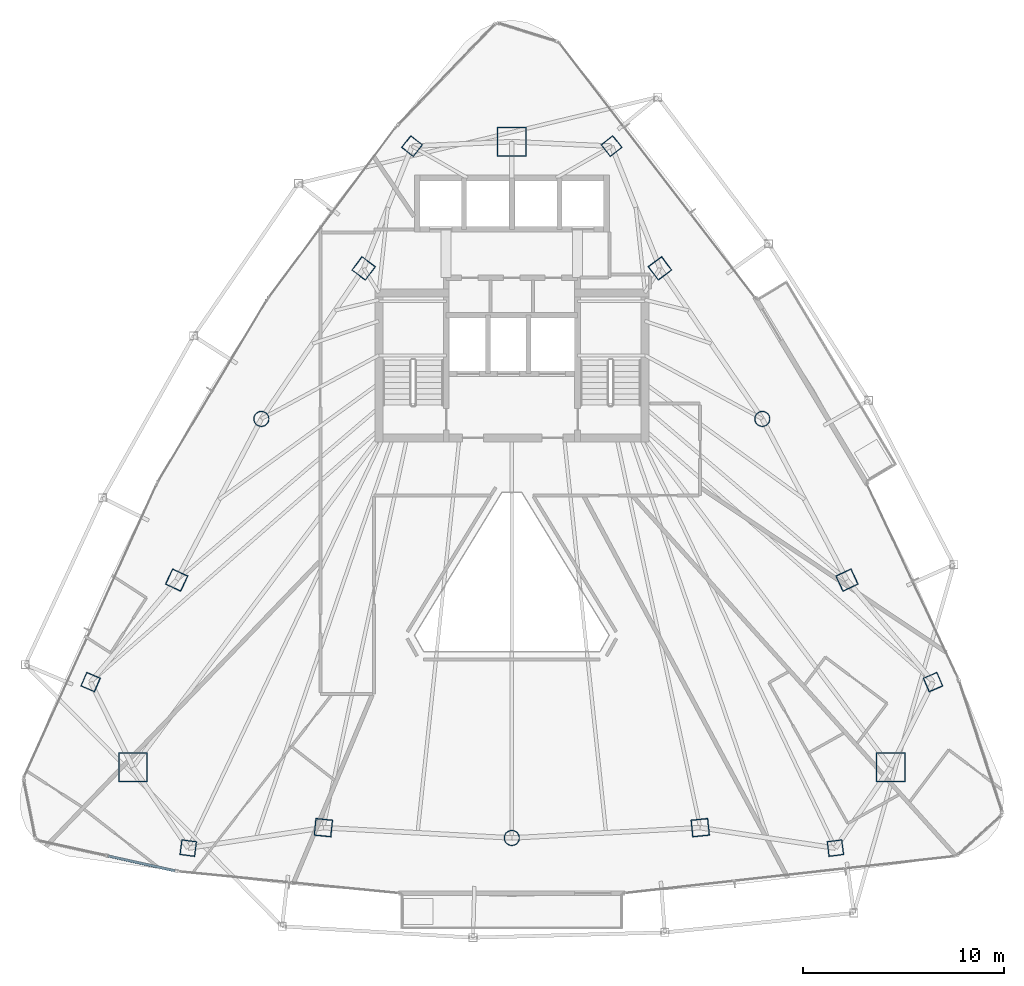
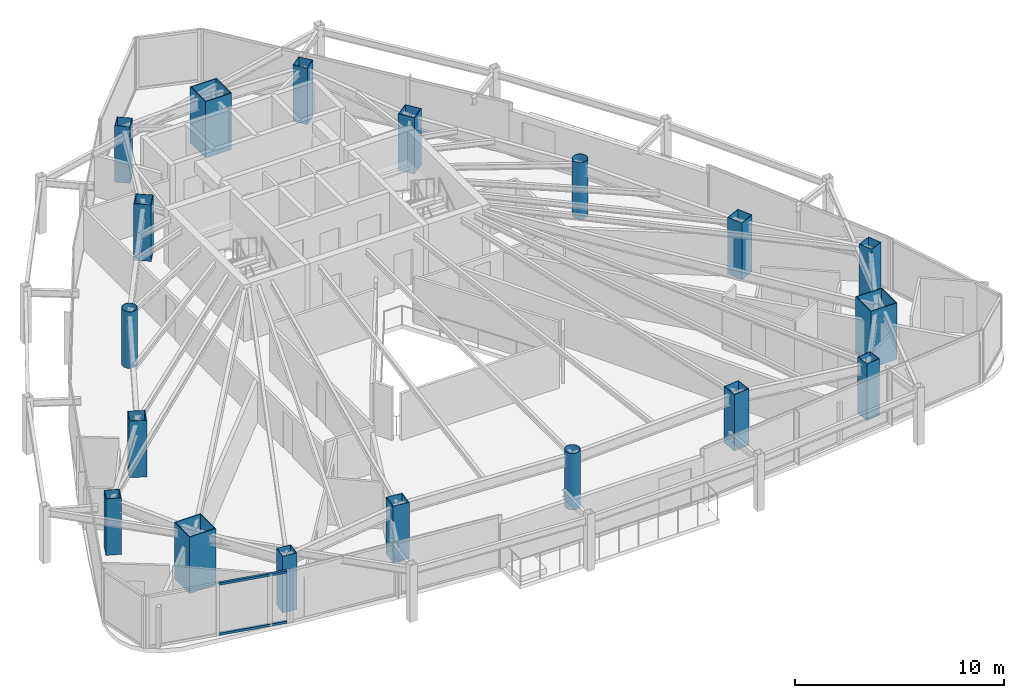
# One storey, part 1 of 30: 18 columns, 2 members, 1 element without a shape of its own.
"""IFC4 building model written with IfcOpenShell, lengths in metres."""

from ifc_helpers import new_model, si_unit, direction, frame, origin, origin_2d, place, context, subcontext, project, spatial, hollow_rectangle, hollow_circle, extrude, material, layer, layer_set, material_profile, profile_set, type_object, element, aggregate, save


model = new_model("IFC4")

# Units and contexts
model_context = context("Model", 3, precision=1e-05, world=origin(), true_north=direction((0.0, 1.0)))
body_context = subcontext(model_context, "Body", "Model", "MODEL_VIEW")
ifc_project = project(units=[si_unit("LENGTHUNIT", "METRE"), si_unit("AREAUNIT", "SQUARE_METRE"), si_unit("VOLUMEUNIT", "CUBIC_METRE"), si_unit("PLANEANGLEUNIT", "RADIAN"), si_unit("MASSUNIT", "GRAM", prefix="KILO")], contexts=[model_context])

# Site, building, storey
site_placement = place(None, origin())
site = spatial("IfcSite", under=ifc_project, at=site_placement, CompositionType="ELEMENT")
building_placement = place(site_placement, origin())
building = spatial("IfcBuilding", under=site, at=building_placement, Name="Orvanel Arch Residences", CompositionType="ELEMENT")
storey_placement = place(building_placement, frame((0.0, 0.0, 180.35009765625)))
storey = spatial("IfcBuildingStorey", under=building, at=storey_placement, Name="L51", CompositionType="ELEMENT", Elevation=180.35009765625)

# Columns
ifc_material_1 = material(Name="Structural steel AS/NZS 1163 C450L0 (Grade 450)", Category="steel")
ifc_material_profile_1 = material_profile(ifc_material_1, hollow_circle(Radius=0.381103515625, WallThickness=0.02197265625, at=origin_2d()), Name="CHS762x22")
ifc_profile_set_1 = profile_set([ifc_material_profile_1], Name="Structural steel AS/NZS 1163 C450L0 (Grade 450)")
column_type_1 = type_object("IfcColumnType", Name="CC-762", PredefinedType="COLUMN", material=ifc_profile_set_1)
for number, where, z_axis, x_axis, name in (
    (1, (20.569091796875, 27.64111328125, 0.0), (0.0, 0.0, 1.0), (1.0, 0.0, 0.0), "L51 High-Rise Tube Column 02"),
    (2, (33.0, 6.843994140625, 0.0), (0.0, 0.0, 1.0), (1.0, 0.0, 0.0), "L51 High-Rise Tube Column 05"),
    (3, (45.430908203125, 27.64111328125, 0.0), (0.0, 0.0, 1.0), (1.0, 0.0, 0.0), "L51 High-Rise Tube Column 08"),
):
    element("IfcColumn", number, at=place(storey_placement, frame(where, z_axis=z_axis, x_axis=x_axis)), inside=storey, type_object=column_type_1, Name=name, PredefinedType="COLUMN", context=body_context, shape_type="SweptSolid", body=[
        extrude(hollow_circle(Radius=0.381103515625, WallThickness=0.02197265625, at=origin_2d()), origin(), (0.0, 0.0, 1.0), 3.2998046875),
    ])
ifc_material_2 = material(Name="Structural steel AS/NZS 3678 Grade 450", Category="steel")
ifc_material_profile_2 = material_profile(ifc_material_2, hollow_rectangle(XDim=1.449951171875, YDim=1.449951171875, WallThickness=0.044921875, at=origin_2d()), Name="BOX1450x1450x45")
ifc_profile_set_2 = profile_set([ifc_material_profile_2], Name="Structural steel AS/NZS 3678 Grade 450")
column_type_2 = type_object("IfcColumnType", Name="MC-1450", PredefinedType="COLUMN", material=ifc_profile_set_2)
for number, where, z_axis, x_axis, name in (
    (4, (33.0, 41.39794921875, 0.0), (0.0, 0.0, 1.0), (1.0, 0.0, 0.0), "L51 Corner Mega-Column 1"),
    (5, (14.198974609375, 10.35107421875, 0.0), (0.0, 0.0, 1.0), (1.0, 0.0, 0.0), "L51 Corner Mega-Column 2"),
    (6, (51.801025390625, 10.35107421875, 0.0), (0.0, 0.0, 1.0), (1.0, 0.0, 0.0), "L51 Corner Mega-Column 3"),
):
    element("IfcColumn", number, at=place(storey_placement, frame(where, z_axis=z_axis, x_axis=x_axis)), inside=storey, type_object=column_type_2, Name=name, PredefinedType="COLUMN", context=body_context, shape_type="SweptSolid", body=[
        extrude(hollow_rectangle(XDim=1.449951171875, YDim=1.449951171875, WallThickness=0.044921875, at=origin_2d()), origin(), (0.0, 0.0, 1.0), 3.2998046875),
    ])
ifc_material_3 = material(Name="Structural steel AS/NZS 3678 Grade 350", Category="steel")
ifc_material_profile_3 = material_profile(ifc_material_3, hollow_rectangle(XDim=0.75, YDim=0.75, WallThickness=0.02490234375, at=origin_2d()), Name="BOX750x750x25")
ifc_profile_set_3 = profile_set([ifc_material_profile_3], Name="Structural steel AS/NZS 3678 Grade 350")
column_type_3 = type_object("IfcColumnType", Name="TC-750", PredefinedType="COLUMN", material=ifc_profile_set_3)
for number, where, z_axis, x_axis, name in (
    (7, (28.050048828125, 41.177978515625, 0.0), (0.0, 0.0, 1.0), (0.623879596709, 0.781520472419, 0.0), "L51 Mid-Rise Buttress Tube Column 01"),
    (8, (12.094970703125, 14.580078125, 0.0), (0.0, 0.0, 1.0), (0.397147890635, 0.917754625684, 0.0), "L51 Mid-Rise Buttress Tube Column 02"),
    (9, (16.94091796875, 6.339111328125, 0.0), (0.0, 0.0, 1.0), (-0.99189444259, 0.127064608601, 0.0), "L51 Mid-Rise Buttress Tube Column 03"),
    (10, (49.05908203125, 6.339111328125, 0.0), (0.0, 0.0, 1.0), (0.99189444259, 0.127064608601, 0.0), "L51 Mid-Rise Buttress Tube Column 04"),
    (11, (53.905029296875, 14.580078125, 0.0), (0.0, 0.0, 1.0), (-0.397147890635, 0.917754625684, 0.0), "L51 Mid-Rise Buttress Tube Column 05"),
    (12, (37.949951171875, 41.177978515625, 0.0), (0.0, 0.0, 1.0), (-0.623879596709, 0.781520472419, 0.0), "L51 Mid-Rise Buttress Tube Column 06"),
):
    element("IfcColumn", number, at=place(storey_placement, frame(where, z_axis=z_axis, x_axis=x_axis)), inside=storey, type_object=column_type_3, Name=name, PredefinedType="COLUMN", context=body_context, shape_type="SweptSolid", body=[
        extrude(hollow_rectangle(XDim=0.75, YDim=0.75, WallThickness=0.02490234375, at=origin_2d()), origin(), (0.0, 0.0, 1.0), 3.2998046875),
    ])
ifc_material_profile_4 = material_profile(ifc_material_3, hollow_rectangle(XDim=0.85009765625, YDim=0.85009765625, WallThickness=0.028076171875, at=origin_2d()), Name="BOX850x850x28")
ifc_profile_set_4 = profile_set([ifc_material_profile_4], Name="Structural steel AS/NZS 3678 Grade 350")
column_type_4 = type_object("IfcColumnType", Name="TC-850", PredefinedType="COLUMN", material=ifc_profile_set_4)
for number, where, z_axis, x_axis, name in (
    (13, (25.64794921875, 35.113037109375, 0.0), (0.0, 0.0, 1.0), (0.600420225326, 0.799684658487, 0.0), "L51 High-Rise Tube Column 01"),
    (14, (16.366943359375, 19.64208984375, 0.0), (0.0, 0.0, 1.0), (0.422618261741, 0.906307787037, 0.0), "L51 High-Rise Tube Column 03"),
    (15, (23.64892578125, 7.35498046875, 0.0), (0.0, 0.0, 1.0), (-0.994880708829, 0.101056297183, 0.0), "L51 High-Rise Tube Column 04"),
    (16, (42.35107421875, 7.35498046875, 0.0), (0.0, 0.0, 1.0), (0.994880708829, 0.101056297183, 0.0), "L51 High-Rise Tube Column 06"),
    (17, (49.633056640625, 19.64208984375, 0.0), (0.0, 0.0, 1.0), (-0.422618261741, 0.906307787037, 0.0), "L51 High-Rise Tube Column 07"),
    (18, (40.35205078125, 35.113037109375, 0.0), (0.0, 0.0, 1.0), (-0.600420225326, 0.799684658487, 0.0), "L51 High-Rise Tube Column 09"),
):
    element("IfcColumn", number, at=place(storey_placement, frame(where, z_axis=z_axis, x_axis=x_axis)), inside=storey, type_object=column_type_4, Name=name, PredefinedType="COLUMN", context=body_context, shape_type="SweptSolid", body=[
        extrude(hollow_rectangle(XDim=0.85009765625, YDim=0.85009765625, WallThickness=0.028076171875, at=origin_2d()), origin(), (0.0, 0.0, 1.0), 3.2998046875),
    ])

# Curtain wall, members
ifc_material_4 = material(Name="Bronze-anodised aluminium AA6063-T6", Category="aluminium")
ifc_layer = layer(ifc_material_4, 0.18994140625)
ifc_layer_set = layer_set([ifc_layer], Name="Bronze-anodised aluminium AA6063-T6")
curtain_wall_type = type_object("IfcCurtainWallType", Name="CW5-CRN-SYS", PredefinedType="NOTDEFINED", material=ifc_layer_set)
curtain_wall_placement = place(storey_placement, origin())
curtain_wall = element("IfcCurtainWall", 19, at=curtain_wall_placement, inside=storey, type_object=curtain_wall_type, Name="L51 CW5-CRN-SYS Unitised Curtain Wall", PredefinedType="NOTDEFINED")
ifc_material_profile_5 = material_profile(ifc_material_4, hollow_rectangle(XDim=0.1298828125, YDim=0.1298828125, WallThickness=0.00439453125, at=origin_2d()), Name="ALU130x130x4.5")
ifc_profile_set_5 = profile_set([ifc_material_profile_5], Name="Bronze-anodised aluminium AA6063-T6")
member_type = type_object("IfcMemberType", Name="TRN-130x130", PredefinedType="USERDEFINED", material=ifc_profile_set_5)
member_1_placement = place(storey_placement, frame((12.982177734375, 5.94873046875, 0.06494140625), z_axis=(0.976320956342, -0.216327044556, 0.0), x_axis=(0.216327044556, 0.976320956342, 0.0)))
member_1 = element("IfcMember", 20, at=member_1_placement, type_object=member_type, Name="CW-S5 transom 2.1", ObjectType="TRANSOM", PredefinedType="USERDEFINED", context=body_context, shape_type="SweptSolid", body=[
    extrude(hollow_rectangle(XDim=0.1298828125, YDim=0.1298828125, WallThickness=0.00439453125, at=origin_2d()), origin(), (0.0, 0.0, 1.0), 3.384521484375),
])
member_2_placement = place(storey_placement, frame((12.982177734375, 5.94873046875, 2.994873046875), z_axis=(0.976320956342, -0.216327044556, 0.0), x_axis=(0.216327044556, 0.976320956342, 0.0)))
member_2 = element("IfcMember", 21, at=member_2_placement, type_object=member_type, Name="CW-S5 transom 2.2", ObjectType="TRANSOM", PredefinedType="USERDEFINED", context=body_context, shape_type="SweptSolid", body=[
    extrude(hollow_rectangle(XDim=0.1298828125, YDim=0.1298828125, WallThickness=0.00439453125, at=origin_2d()), origin(), (0.0, 0.0, 1.0), 3.384521484375),
])
aggregate(curtain_wall, [member_1, member_2])

save(model, "model.ifc")
